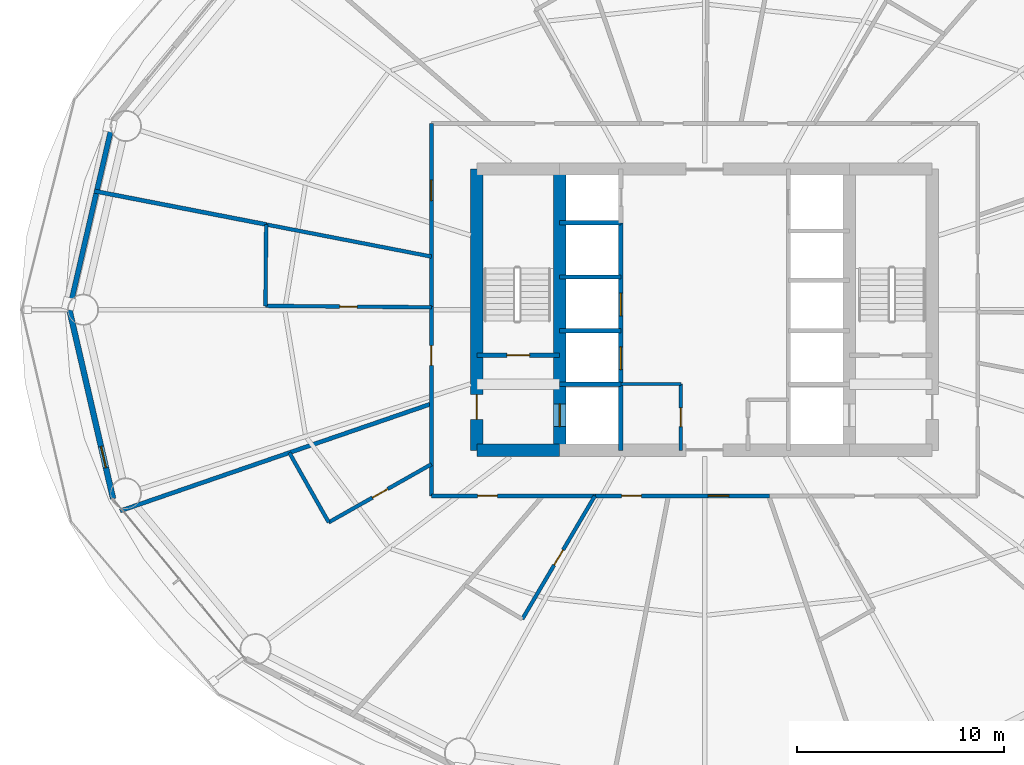
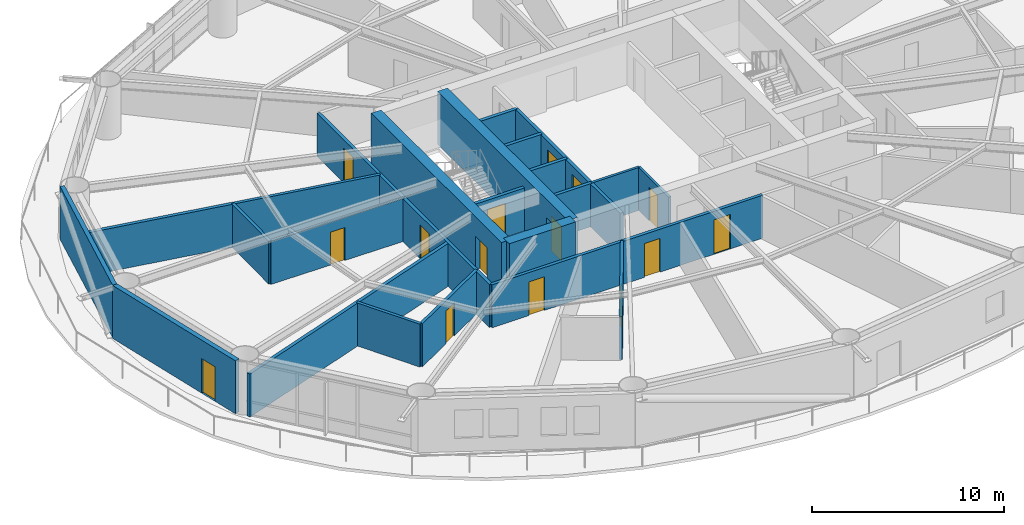
# One storey, part 20 of 26: 26 walls, 15 doors, 15 openings.
"""IFC4 building model written with IfcOpenShell, lengths in metres."""

from ifc_helpers import new_model, si_unit, direction, frame, frame_2d, origin, place, context, subcontext, project, spatial, rectangle, extrude, material, layer, layer_set, type_object, element, fill, save


model = new_model("IFC4")

# Units and contexts
model_context = context("Model", 3, precision=1e-05, world=origin(), true_north=direction((0.0, 1.0)))
body_context = subcontext(model_context, "Body", "Model", "MODEL_VIEW")
ifc_project = project(units=[si_unit("LENGTHUNIT", "METRE"), si_unit("AREAUNIT", "SQUARE_METRE"), si_unit("VOLUMEUNIT", "CUBIC_METRE"), si_unit("PLANEANGLEUNIT", "RADIAN"), si_unit("MASSUNIT", "GRAM", prefix="KILO")], contexts=[model_context])

# Site, building, storey
site_placement = place(None, origin())
site = spatial("IfcSite", under=ifc_project, at=site_placement, CompositionType="ELEMENT")
building_placement = place(site_placement, origin())
building = spatial("IfcBuilding", under=site, at=building_placement, Name="Sarneth Arch Tower", CompositionType="ELEMENT")
storey_placement = place(building_placement, frame((0.0, 0.0, 71.39990234375)))
storey = spatial("IfcBuildingStorey", under=building, at=storey_placement, Name="L17", CompositionType="ELEMENT", Elevation=71.39990234375)

# Wall
ifc_material_1 = material(Name="Concrete C60/75", Category="concrete")
ifc_layer_1 = layer(ifc_material_1, 0.60009765625)
ifc_layer_set_1 = layer_set([ifc_layer_1], Name="Concrete C60/75")
wall_type_1 = type_object("IfcWallType", Name="WALL-CORE-600", PredefinedType="SHEAR", material=ifc_layer_set_1)
wall_1_placement = place(storey_placement, frame((37.0, 35.199951171875, 0.0), z_axis=(0.0, 0.0, 1.0), x_axis=(1.0, 0.0, 0.0)))
element("IfcWall", 1, at=wall_1_placement, inside=storey, type_object=wall_type_1, Name="L17 Core shear wall S-W", PredefinedType="SHEAR", context=body_context, shape_type="SweptSolid", body=[
    extrude(rectangle(XDim=4.0, YDim=0.60009765625, at=frame_2d((2.0, 0.0))), origin(), (0.0, 0.0, 1.0), 3.380126953125),
])

# Wall, opening, door
wall_2_placement = place(storey_placement, frame((37.0, 35.199951171875, 0.0), z_axis=(0.0, 0.0, 1.0), x_axis=(0.0, 1.0, 0.0)))
wall_2 = element("IfcWall", 2, at=wall_2_placement, inside=storey, type_object=wall_type_1, Name="L17 Core shear wall W", PredefinedType="SHEAR", context=body_context, shape_type="SweptSolid", body=[
    extrude(rectangle(XDim=13.60009765625, YDim=0.60009765625, at=frame_2d((6.800048828125, 0.0))), origin(), (0.0, 0.0, 1.0), 3.380126953125),
])
opening_1_placement = place(wall_2_placement, frame((1.5, 0.0, 0.0)))
opening_1 = element("IfcOpeningElement", 3, at=opening_1_placement, cuts=wall_2, Name="Opening FD-02", PredefinedType="OPENING", context=body_context, shape_type="SweptSolid", body=[
    extrude(rectangle(XDim=1.199951171875, YDim=2.14990234375, at=frame_2d((0.60009765625, 1.074951171875))), frame((0.0, 0.31005859375, 0.0), z_axis=(0.0, -1.0, 0.0), x_axis=(1.0, 0.0, 0.0)), (0.0, 0.0, 1.0), 0.6201171875),
])
ifc_material_2 = material(Name="Galvanised Steel S275 fire door set", Category="steel")
door_type_1 = type_object("IfcDoorType", Name="DR-FD90-1200", OperationType="SINGLE_SWING_LEFT", PredefinedType="DOOR", material=ifc_material_2)
door_1_placement = place(opening_1_placement, origin())
door_1 = element("IfcDoor", 4, at=door_1_placement, inside=storey, type_object=door_type_1, Name="L17 Firefighting lobby 1 exit door", OperationType="SINGLE_SWING_LEFT", OverallHeight=2.14990234375, OverallWidth=1.199951171875, PredefinedType="DOOR", context=body_context, shape_type="SweptSolid", body=[
    extrude(rectangle(XDim=1.199951171875, YDim=2.14990234375, at=frame_2d((0.60009765625, 1.074951171875))), frame((0.0, 0.02490234375, 0.0), z_axis=(0.0, -1.0, 0.0), x_axis=(1.0, 0.0, 0.0)), (0.0, 0.0, 1.0), 0.050048828125),
])
fill(opening_1, door_1)

wall_3_placement = place(storey_placement, frame((41.0, 35.199951171875, 0.0), z_axis=(0.0, 0.0, 1.0), x_axis=(0.0, 1.0, 0.0)))
wall_3 = element("IfcWall", 5, at=wall_3_placement, inside=storey, type_object=wall_type_1, Name="L17 Core shear wall WEB-W", PredefinedType="SHEAR", context=body_context, shape_type="SweptSolid", body=[
    extrude(rectangle(XDim=13.60009765625, YDim=0.60009765625, at=frame_2d((6.800048828125, 0.0))), origin(), (0.0, 0.0, 1.0), 3.380126953125),
])
opening_2_placement = place(wall_3_placement, frame((1.14990234375, 0.0, 0.0)))
opening_2 = element("IfcOpeningElement", 6, at=opening_2_placement, cuts=wall_3, Name="Opening LD-1", PredefinedType="OPENING", context=body_context, shape_type="SweptSolid", body=[
    extrude(rectangle(XDim=1.10009765625, YDim=2.199951171875, at=frame_2d((0.550048828125, 1.10009765625))), frame((0.0, 0.31005859375, 0.0), z_axis=(0.0, -1.0, 0.0), x_axis=(1.0, 0.0, 0.0)), (0.0, 0.0, 1.0), 0.6201171875),
])
ifc_material_3 = material(Name="Brushed Stainless Steel 304 lift landing door", Category="steel")
door_type_2 = type_object("IfcDoorType", Name="DR-LIFT-SLIDE-1100", OperationType="SLIDING_TO_LEFT", PredefinedType="DOOR", material=ifc_material_3)
door_2_placement = place(opening_2_placement, origin())
door_2 = element("IfcDoor", 7, at=door_2_placement, inside=storey, type_object=door_type_2, Name="L17 Firefighting lift landing door FL-1", OperationType="SLIDING_TO_LEFT", OverallHeight=2.199951171875, OverallWidth=1.10009765625, PredefinedType="DOOR", context=body_context, shape_type="SweptSolid", body=[
    extrude(rectangle(XDim=1.10009765625, YDim=2.199951171875, at=frame_2d((0.550048828125, 1.10009765625))), frame((0.0, 0.02490234375, 0.0), z_axis=(0.0, -1.0, 0.0), x_axis=(1.0, 0.0, 0.0)), (0.0, 0.0, 1.0), 0.050048828125),
])
fill(opening_2, door_2)

ifc_material_4 = material(Name="Double steel-stud corridor fire wall", Category="steel")
ifc_layer_2 = layer(ifc_material_4, 0.18994140625)
ifc_layer_set_2 = layer_set([ifc_layer_2], Name="Double steel-stud corridor fire wall")
wall_type_2 = type_object("IfcWallType", Name="WALL-CORR-190", PredefinedType="PARTITIONING", material=ifc_layer_set_2)
wall_4_placement = place(storey_placement, frame((34.800048828125, 42.083251953125, 0.0), z_axis=(0.0, 0.0, 1.0), x_axis=(0.0, 1.0, 0.0)))
wall_4 = element("IfcWall", 8, at=wall_4_placement, inside=storey, type_object=wall_type_2, Name="L17 Interior partition W-L17-TP-009", PredefinedType="PARTITIONING", context=body_context, shape_type="SweptSolid", body=[
    extrude(rectangle(XDim=8.916748046875, YDim=0.18994140625, at=frame_2d((4.45849609375, 0.0))), origin(), (0.0, 0.0, 1.0), 2.739990234375),
])
opening_3_placement = place(wall_4_placement, frame((5.183349609375, 0.0, 0.0)))
opening_3 = element("IfcOpeningElement", 9, at=opening_3_placement, cuts=wall_4, Name="Opening FD-08", PredefinedType="OPENING", context=body_context, shape_type="SweptSolid", body=[
    extrude(rectangle(XDim=1.0, YDim=2.199951171875, at=frame_2d((0.5, 1.10009765625))), frame((0.0, 0.10498046875, 0.0), z_axis=(0.0, -1.0, 0.0), x_axis=(1.0, 0.0, 0.0)), (0.0, 0.0, 1.0), 0.2099609375),
])
ifc_material_5 = material(Name="Hardwood timber acoustic fire door", Category="wood")
door_type_3 = type_object("IfcDoorType", Name="DR-FD60-1000", OperationType="SINGLE_SWING_LEFT", PredefinedType="DOOR", material=ifc_material_5)
door_3_placement = place(opening_3_placement, origin())
door_3 = element("IfcDoor", 10, at=door_3_placement, inside=storey, type_object=door_type_3, Name="L17 Interior door DR-L17-AMN-05", OperationType="SINGLE_SWING_LEFT", OverallHeight=2.199951171875, OverallWidth=1.0, PredefinedType="DOOR", context=body_context, shape_type="SweptSolid", body=[
    extrude(rectangle(XDim=1.0, YDim=2.199951171875, at=frame_2d((0.5, 1.10009765625))), frame((0.0, 0.02490234375, 0.0), z_axis=(0.0, -1.0, 0.0), x_axis=(1.0, 0.0, 0.0)), (0.0, 0.0, 1.0), 0.050048828125),
])
fill(opening_3, door_3)

wall_5_placement = place(storey_placement, frame((42.735595703125, 33.0, 0.0), z_axis=(0.0, 0.0, 1.0), x_axis=(-1.0, 0.0, 0.0)))
wall_5 = element("IfcWall", 11, at=wall_5_placement, inside=storey, type_object=wall_type_2, Name="L17 Interior partition W-L17-TP-013", PredefinedType="PARTITIONING", context=body_context, shape_type="SweptSolid", body=[
    extrude(rectangle(XDim=7.935546875, YDim=0.18994140625, at=frame_2d((3.9677734375, 0.0))), origin(), (0.0, 0.0, 1.0), 2.739990234375),
])
opening_4_placement = place(wall_5_placement, frame((4.751220703125, 0.0, 0.0)))
opening_4 = element("IfcOpeningElement", 12, at=opening_4_placement, cuts=wall_5, Name="Opening FD-09", PredefinedType="OPENING", context=body_context, shape_type="SweptSolid", body=[
    extrude(rectangle(XDim=0.949951171875, YDim=2.14990234375, at=frame_2d((0.47509765625, 1.074951171875))), frame((0.0, 0.10498046875, 0.0), z_axis=(0.0, -1.0, 0.0), x_axis=(1.0, 0.0, 0.0)), (0.0, 0.0, 1.0), 0.2099609375),
])
ifc_material_6 = material(Name="Hardwood timber hotel entrance fire door", Category="wood")
door_type_4 = type_object("IfcDoorType", Name="DR-FD60-950", OperationType="SINGLE_SWING_RIGHT", PredefinedType="DOOR", material=ifc_material_6)
door_4_placement = place(opening_4_placement, origin())
door_4 = element("IfcDoor", 13, at=door_4_placement, inside=storey, type_object=door_type_4, Name="L17 Interior door DR-L17-KEY-07", OperationType="SINGLE_SWING_LEFT", OverallHeight=2.14990234375, OverallWidth=0.949951171875, PredefinedType="DOOR", context=body_context, shape_type="SweptSolid", body=[
    extrude(rectangle(XDim=0.949951171875, YDim=2.14990234375, at=frame_2d((0.47509765625, 1.074951171875))), frame((0.0, 0.02490234375, 0.0), z_axis=(0.0, -1.0, 0.0), x_axis=(1.0, 0.0, 0.0)), (0.0, 0.0, 1.0), 0.050048828125),
])
fill(opening_4, door_4)

# Wall, openings, doors
wall_6_placement = place(storey_placement, frame((51.1328125, 33.0, 0.0), z_axis=(0.0, 0.0, 1.0), x_axis=(-1.0, 0.0, 0.0)))
wall_6 = element("IfcWall", 14, at=wall_6_placement, inside=storey, type_object=wall_type_2, Name="L17 Interior partition W-L17-TP-018", PredefinedType="PARTITIONING", context=body_context, shape_type="SweptSolid", body=[
    extrude(rectangle(XDim=8.47119140625, YDim=0.18994140625, at=frame_2d((4.235595703125, 0.0))), origin(), (0.0, 0.0, 1.0), 2.739990234375),
])
opening_5_placement = place(wall_6_placement, frame((1.957275390625, 0.0, 0.0)))
opening_5 = element("IfcOpeningElement", 15, at=opening_5_placement, cuts=wall_6, Name="Opening FD-08", PredefinedType="OPENING", context=body_context, shape_type="SweptSolid", body=[
    extrude(rectangle(XDim=1.0, YDim=2.199951171875, at=frame_2d((0.5, 1.10009765625))), frame((0.0, 0.10498046875, 0.0), z_axis=(0.0, -1.0, 0.0), x_axis=(1.0, 0.0, 0.0)), (0.0, 0.0, 1.0), 0.2099609375),
])
opening_6_placement = place(wall_6_placement, frame((6.185302734375, 0.0, 0.0)))
opening_6 = element("IfcOpeningElement", 16, at=opening_6_placement, cuts=wall_6, Name="Opening FD-09", PredefinedType="OPENING", context=body_context, shape_type="SweptSolid", body=[
    extrude(rectangle(XDim=0.949951171875, YDim=2.14990234375, at=frame_2d((0.47509765625, 1.074951171875))), frame((0.0, 0.10498046875, 0.0), z_axis=(0.0, -1.0, 0.0), x_axis=(1.0, 0.0, 0.0)), (0.0, 0.0, 1.0), 0.2099609375),
])
door_5_placement = place(opening_5_placement, origin())
door_5 = element("IfcDoor", 17, at=door_5_placement, inside=storey, type_object=door_type_3, Name="L17 Interior door DR-L17-AMN-09", OperationType="SINGLE_SWING_RIGHT", OverallHeight=2.199951171875, OverallWidth=1.0, PredefinedType="DOOR", context=body_context, shape_type="SweptSolid", body=[
    extrude(rectangle(XDim=1.0, YDim=2.199951171875, at=frame_2d((0.5, 1.10009765625))), frame((0.0, 0.02490234375, 0.0), z_axis=(0.0, -1.0, 0.0), x_axis=(1.0, 0.0, 0.0)), (0.0, 0.0, 1.0), 0.050048828125),
])
fill(opening_5, door_5)
door_6_placement = place(opening_6_placement, origin())
door_6 = element("IfcDoor", 18, at=door_6_placement, inside=storey, type_object=door_type_4, Name="L17 Interior door DR-L17-KEY-08", OperationType="SINGLE_SWING_RIGHT", OverallHeight=2.14990234375, OverallWidth=0.949951171875, PredefinedType="DOOR", context=body_context, shape_type="SweptSolid", body=[
    extrude(rectangle(XDim=0.949951171875, YDim=2.14990234375, at=frame_2d((0.47509765625, 1.074951171875))), frame((0.0, 0.02490234375, 0.0), z_axis=(0.0, -1.0, 0.0), x_axis=(1.0, 0.0, 0.0)), (0.0, 0.0, 1.0), 0.050048828125),
])
fill(opening_6, door_6)

# Wall, opening, door
wall_7_placement = place(storey_placement, frame((34.800048828125, 33.0, 0.0), z_axis=(0.0, 0.0, 1.0), x_axis=(0.0, 1.0, 0.0)))
wall_7 = element("IfcWall", 19, at=wall_7_placement, inside=storey, type_object=wall_type_2, Name="L17 Interior partition W-L17-TP-011", PredefinedType="PARTITIONING", context=body_context, shape_type="SweptSolid", body=[
    extrude(rectangle(XDim=9.147216796875, YDim=0.18994140625, at=frame_2d((4.57373046875, 0.0))), origin(), (0.0, 0.0, 1.0), 2.739990234375),
])
opening_7_placement = place(wall_7_placement, frame((6.30908203125, 0.0, 0.0)))
opening_7 = element("IfcOpeningElement", 20, at=opening_7_placement, cuts=wall_7, Name="Opening FD-09", PredefinedType="OPENING", context=body_context, shape_type="SweptSolid", body=[
    extrude(rectangle(XDim=0.949951171875, YDim=2.14990234375, at=frame_2d((0.47509765625, 1.074951171875))), frame((0.0, 0.10498046875, 0.0), z_axis=(0.0, -1.0, 0.0), x_axis=(1.0, 0.0, 0.0)), (0.0, 0.0, 1.0), 0.2099609375),
])
door_7_placement = place(opening_7_placement, origin())
door_7 = element("IfcDoor", 21, at=door_7_placement, inside=storey, type_object=door_type_4, Name="L17 Interior door DR-L17-KEY-06", OperationType="SINGLE_SWING_LEFT", OverallHeight=2.14990234375, OverallWidth=0.949951171875, PredefinedType="DOOR", context=body_context, shape_type="SweptSolid", body=[
    extrude(rectangle(XDim=0.949951171875, YDim=2.14990234375, at=frame_2d((0.47509765625, 1.074951171875))), frame((0.0, 0.02490234375, 0.0), z_axis=(0.0, -1.0, 0.0), x_axis=(1.0, 0.0, 0.0)), (0.0, 0.0, 1.0), 0.050048828125),
])
fill(opening_7, door_7)

# Wall
ifc_material_7 = material(Name="Extruded terracotta rainscreen on Concrete C40/50 backing", Category="masonry")
ifc_layer_3 = layer(ifc_material_7, 0.25)
ifc_layer_set_3 = layer_set([ifc_layer_3], Name="Extruded terracotta rainscreen on Concrete C40/50 backing")
wall_type_3 = type_object("IfcWallType", Name="WALL-EXT-SPAND-250", PredefinedType="SOLIDWALL", material=ifc_layer_set_3)
wall_8_placement = place(storey_placement, frame((19.4189453125, 51.138427734375, 0.0), z_axis=(0.0, 0.0, 1.0), x_axis=(-0.225454452941, -0.974253709076, 0.0)))
element("IfcWall", 22, at=wall_8_placement, inside=storey, type_object=wall_type_3, Name="L17 Terracotta perimeter wall 08", PredefinedType="SOLIDWALL", context=body_context, shape_type="SweptSolid", body=[
    extrude(rectangle(XDim=9.3798828125, YDim=0.25, at=frame_2d((4.68994140625, 0.0))), origin(), (0.0, 0.0, 1.0), 3.380126953125),
])

# Wall, opening, door
ifc_material_8 = material(Name="Extruded terracotta rainscreen on Concrete C40/50 backing", Category="masonry")
ifc_layer_4 = layer(ifc_material_8, 0.280029296875)
ifc_layer_set_4 = layer_set([ifc_layer_4], Name="Extruded terracotta rainscreen on Concrete C40/50 backing")
wall_type_4 = type_object("IfcWallType", Name="WALL-EXT-TERRA-280", PredefinedType="SOLIDWALL", material=ifc_layer_set_4)
wall_9_placement = place(storey_placement, frame((17.30419921875, 42.0, 0.0), z_axis=(0.0, 0.0, 1.0), x_axis=(0.225454452941, -0.974253709076, 0.0)))
wall_9 = element("IfcWall", 23, at=wall_9_placement, inside=storey, type_object=wall_type_4, Name="L17 Terracotta perimeter wall 09", PredefinedType="SOLIDWALL", context=body_context, shape_type="SweptSolid", body=[
    extrude(rectangle(XDim=9.3798828125, YDim=0.280029296875, at=frame_2d((4.68994140625, 0.0))), origin(), (0.0, 0.0, 1.0), 3.380126953125),
])
opening_8_placement = place(wall_9_placement, frame((6.78515625, 0.0, 0.0)))
opening_8 = element("IfcOpeningElement", 24, at=opening_8_placement, cuts=wall_9, Name="Opening BD-4", PredefinedType="OPENING", context=body_context, shape_type="SweptSolid", body=[
    extrude(rectangle(XDim=1.050048828125, YDim=2.199951171875, at=frame_2d((0.52490234375, 1.10009765625))), frame((0.0, 0.14990234375, 0.0), z_axis=(0.0, -1.0, 0.0), x_axis=(1.0, 0.0, 0.0)), (0.0, 0.0, 1.0), 0.300048828125),
])
ifc_material_9 = material(Name="Thermally broken Aluminium 6063-T6 and laminated safety glass", Category="aluminium")
door_type_5 = type_object("IfcDoorType", Name="DR-BALC-GLZ-1050", OperationType="SINGLE_SWING_RIGHT", PredefinedType="DOOR", material=ifc_material_9)
door_8_placement = place(opening_8_placement, origin())
door_8 = element("IfcDoor", 25, at=door_8_placement, inside=storey, type_object=door_type_5, Name="L17 Balcony glazed door 09", OperationType="SINGLE_SWING_RIGHT", OverallHeight=2.199951171875, OverallWidth=1.050048828125, PredefinedType="DOOR", context=body_context, shape_type="SweptSolid", body=[
    extrude(rectangle(XDim=1.050048828125, YDim=2.199951171875, at=frame_2d((0.52490234375, 1.10009765625))), frame((0.0, 0.02490234375, 0.0), z_axis=(0.0, -1.0, 0.0), x_axis=(1.0, 0.0, 0.0)), (0.0, 0.0, 1.0), 0.050048828125),
])
fill(opening_8, door_8)

# Wall
ifc_material_10 = material(Name="Acoustic gypsum stud partition", Category="gypsum")
ifc_layer_5 = layer(ifc_material_10, 0.14990234375)
ifc_layer_set_5 = layer_set([ifc_layer_5], Name="Acoustic gypsum stud partition")
wall_type_5 = type_object("IfcWallType", Name="WALL-PART-150", PredefinedType="PARTITIONING", material=ifc_layer_set_5)
wall_10_placement = place(storey_placement, frame((43.949951171875, 38.39990234375, 0.0), z_axis=(0.0, 0.0, 1.0), x_axis=(1.0, 0.0, 0.0)))
element("IfcWall", 26, at=wall_10_placement, inside=storey, type_object=wall_type_5, Name="L17 Interior partition W-L17-CSUP1-N", PredefinedType="PARTITIONING", context=body_context, shape_type="SweptSolid", body=[
    extrude(rectangle(XDim=2.900146484375, YDim=0.14990234375, at=frame_2d((1.4501953125, 0.0))), origin(), (0.0, 0.0, 1.0), 2.739990234375),
])

# Wall, opening, door
wall_11_placement = place(storey_placement, frame((46.85009765625, 35.199951171875, 0.0), z_axis=(0.0, 0.0, 1.0), x_axis=(0.0, 1.0, 0.0)))
wall_11 = element("IfcWall", 27, at=wall_11_placement, inside=storey, type_object=wall_type_5, Name="L17 Interior partition W-L17-CSUP1-E", PredefinedType="PARTITIONING", context=body_context, shape_type="SweptSolid", body=[
    extrude(rectangle(XDim=3.199951171875, YDim=0.14990234375, at=frame_2d((1.60009765625, 0.0))), origin(), (0.0, 0.0, 1.0), 2.739990234375),
])
opening_9_placement = place(wall_11_placement, frame((1.14990234375, 0.0, 0.0)))
opening_9 = element("IfcOpeningElement", 28, at=opening_9_placement, cuts=wall_11, Name="Opening FD-10", PredefinedType="OPENING", context=body_context, shape_type="SweptSolid", body=[
    extrude(rectangle(XDim=0.89990234375, YDim=2.14990234375, at=frame_2d((0.449951171875, 1.074951171875))), frame((0.0, 0.0849609375, 0.0), z_axis=(0.0, -1.0, 0.0), x_axis=(1.0, 0.0, 0.0)), (0.0, 0.0, 1.0), 0.169921875),
])
ifc_material_11 = material(Name="Galvanised Steel S275 riser/service fire door", Category="steel")
door_type_6 = type_object("IfcDoorType", Name="DR-FD60-900", OperationType="SINGLE_SWING_LEFT", PredefinedType="DOOR", material=ifc_material_11)
door_9_placement = place(opening_9_placement, origin())
door_9 = element("IfcDoor", 29, at=door_9_placement, inside=storey, type_object=door_type_6, Name="L17 Interior door DR-L17-CSUP1", OperationType="SINGLE_SWING_LEFT", OverallHeight=2.14990234375, OverallWidth=0.89990234375, PredefinedType="DOOR", context=body_context, shape_type="SweptSolid", body=[
    extrude(rectangle(XDim=0.89990234375, YDim=2.14990234375, at=frame_2d((0.449951171875, 1.074951171875))), frame((0.0, 0.02490234375, 0.0), z_axis=(0.0, -1.0, 0.0), x_axis=(1.0, 0.0, 0.0)), (0.0, 0.0, 1.0), 0.050048828125),
])
fill(opening_9, door_9)

# Wall
ifc_material_12 = material(Name="Moisture-resistant plumbing chase wall", Category="gypsum")
ifc_layer_6 = layer(ifc_material_12, 0.179931640625)
ifc_layer_set_6 = layer_set([ifc_layer_6], Name="Moisture-resistant plumbing chase wall")
wall_type_6 = type_object("IfcWallType", Name="WALL-PLUMB-180", PredefinedType="PLUMBINGWALL", material=ifc_layer_set_6)
wall_12_placement = place(storey_placement, frame((26.814697265625, 46.117919921875, 0.0), z_axis=(0.0, 0.0, 1.0), x_axis=(0.981631630513, -0.190786115787, 0.0)))
element("IfcWall", 30, at=wall_12_placement, inside=storey, type_object=wall_type_6, Name="L17 Interior partition W-L17-TP-041", PredefinedType="PLUMBINGWALL", context=body_context, shape_type="SweptSolid", body=[
    extrude(rectangle(XDim=8.134765625, YDim=0.179931640625, at=frame_2d((4.0673828125, 0.0))), origin(), (0.0, 0.0, 1.0), 2.739990234375),
])

# Wall, opening, door
wall_13_placement = place(storey_placement, frame((34.800048828125, 42.115234375, 0.0), z_axis=(0.0, 0.0, 1.0), x_axis=(-0.999961832732, 0.008736880358, 0.0)))
wall_13 = element("IfcWall", 31, at=wall_13_placement, inside=storey, type_object=wall_type_6, Name="L17 Interior partition W-L17-TP-042", PredefinedType="PLUMBINGWALL", context=body_context, shape_type="SweptSolid", body=[
    extrude(rectangle(XDim=8.019775390625, YDim=0.179931640625, at=frame_2d((4.009765625, 0.0))), origin(), (0.0, 0.0, 1.0), 2.739990234375),
])
opening_10_placement = place(wall_13_placement, frame((3.5849609375, 0.0, 0.0)))
opening_10 = element("IfcOpeningElement", 32, at=opening_10_placement, cuts=wall_13, Name="Opening ID-02", PredefinedType="OPENING", context=body_context, shape_type="SweptSolid", body=[
    extrude(rectangle(XDim=0.85009765625, YDim=2.10009765625, at=frame_2d((0.425048828125, 1.050048828125))), frame((0.0, 0.099853515625, 0.0), z_axis=(0.0, -1.0, 0.0), x_axis=(1.0, 0.0, 0.0)), (0.0, 0.0, 1.0), 0.199951171875),
])
ifc_material_13 = material(Name="Moisture-resistant bathroom timber door", Category="wood")
door_type_7 = type_object("IfcDoorType", Name="DR-INT-850", OperationType="SINGLE_SWING_RIGHT", PredefinedType="DOOR", material=ifc_material_13)
door_10_placement = place(opening_10_placement, origin())
door_10 = element("IfcDoor", 33, at=door_10_placement, inside=storey, type_object=door_type_7, Name="L17 Interior door DR-L17-ENS-06", OperationType="SINGLE_SWING_RIGHT", OverallHeight=2.10009765625, OverallWidth=0.85009765625, PredefinedType="DOOR", context=body_context, shape_type="SweptSolid", body=[
    extrude(rectangle(XDim=0.85009765625, YDim=2.10009765625, at=frame_2d((0.425048828125, 1.050048828125))), frame((0.0, 0.02490234375, 0.0), z_axis=(0.0, -1.0, 0.0), x_axis=(1.0, 0.0, 0.0)), (0.0, 0.0, 1.0), 0.050048828125),
])
fill(opening_10, door_10)

wall_14_placement = place(storey_placement, frame((39.192626953125, 27.048095703125, 0.0), z_axis=(0.0, 0.0, 1.0), x_axis=(0.507529744585, 0.861634236995, 0.0)))
wall_14 = element("IfcWall", 34, at=wall_14_placement, inside=storey, type_object=wall_type_6, Name="L17 Interior partition W-L17-TP-051", PredefinedType="PLUMBINGWALL", context=body_context, shape_type="SweptSolid", body=[
    extrude(rectangle(XDim=6.90771484375, YDim=0.179931640625, at=frame_2d((3.453857421875, 0.0))), origin(), (0.0, 0.0, 1.0), 2.739990234375),
])
opening_11_placement = place(wall_14_placement, frame((3.02880859375, 0.0, 0.0)))
opening_11 = element("IfcOpeningElement", 35, at=opening_11_placement, cuts=wall_14, Name="Opening ID-02", PredefinedType="OPENING", context=body_context, shape_type="SweptSolid", body=[
    extrude(rectangle(XDim=0.85009765625, YDim=2.10009765625, at=frame_2d((0.425048828125, 1.050048828125))), frame((0.0, 0.099853515625, 0.0), z_axis=(0.0, -1.0, 0.0), x_axis=(1.0, 0.0, 0.0)), (0.0, 0.0, 1.0), 0.199951171875),
])
door_11_placement = place(opening_11_placement, origin())
door_11 = element("IfcDoor", 36, at=door_11_placement, inside=storey, type_object=door_type_7, Name="L17 Interior door DR-L17-ENS-08", OperationType="SINGLE_SWING_RIGHT", OverallHeight=2.10009765625, OverallWidth=0.85009765625, PredefinedType="DOOR", context=body_context, shape_type="SweptSolid", body=[
    extrude(rectangle(XDim=0.85009765625, YDim=2.10009765625, at=frame_2d((0.425048828125, 1.050048828125))), frame((0.0, 0.02490234375, 0.0), z_axis=(0.0, -1.0, 0.0), x_axis=(1.0, 0.0, 0.0)), (0.0, 0.0, 1.0), 0.050048828125),
])
fill(opening_11, door_11)

wall_15_placement = place(storey_placement, frame((29.83740234375, 31.72412109375, 0.0), z_axis=(0.0, 0.0, 1.0), x_axis=(0.870364197206, 0.492408533865, 0.0)))
wall_15 = element("IfcWall", 37, at=wall_15_placement, inside=storey, type_object=wall_type_6, Name="L17 Interior partition W-L17-TP-047", PredefinedType="PLUMBINGWALL", context=body_context, shape_type="SweptSolid", body=[
    extrude(rectangle(XDim=5.701904296875, YDim=0.179931640625, at=frame_2d((2.85107421875, 0.0))), origin(), (0.0, 0.0, 1.0), 2.739990234375),
])
opening_12_placement = place(wall_15_placement, frame((2.42578125, 0.0, 0.0)))
opening_12 = element("IfcOpeningElement", 38, at=opening_12_placement, cuts=wall_15, Name="Opening ID-02", PredefinedType="OPENING", context=body_context, shape_type="SweptSolid", body=[
    extrude(rectangle(XDim=0.85009765625, YDim=2.10009765625, at=frame_2d((0.425048828125, 1.050048828125))), frame((0.0, 0.099853515625, 0.0), z_axis=(0.0, -1.0, 0.0), x_axis=(1.0, 0.0, 0.0)), (0.0, 0.0, 1.0), 0.199951171875),
])
door_12_placement = place(opening_12_placement, origin())
door_12 = element("IfcDoor", 39, at=door_12_placement, inside=storey, type_object=door_type_7, Name="L17 Interior door DR-L17-ENS-07", OperationType="SINGLE_SWING_RIGHT", OverallHeight=2.10009765625, OverallWidth=0.85009765625, PredefinedType="DOOR", context=body_context, shape_type="SweptSolid", body=[
    extrude(rectangle(XDim=0.85009765625, YDim=2.10009765625, at=frame_2d((0.425048828125, 1.050048828125))), frame((0.0, 0.02490234375, 0.0), z_axis=(0.0, -1.0, 0.0), x_axis=(1.0, 0.0, 0.0)), (0.0, 0.0, 1.0), 0.050048828125),
])
fill(opening_12, door_12)

# Walls
wall_16_placement = place(storey_placement, frame((26.780517578125, 42.185302734375, 0.0), z_axis=(0.0, 0.0, 1.0), x_axis=(0.008691005249, 0.999962232501, 0.0)))
element("IfcWall", 40, at=wall_16_placement, inside=storey, type_object=wall_type_6, Name="L17 Interior partition W-L17-TP-043", PredefinedType="PLUMBINGWALL", context=body_context, shape_type="SweptSolid", body=[
    extrude(rectangle(XDim=3.932861328125, YDim=0.179931640625, at=frame_2d((1.96630859375, 0.0))), origin(), (0.0, 0.0, 1.0), 2.739990234375),
])
wall_17_placement = place(storey_placement, frame((27.932861328125, 35.09033203125, 0.0), z_axis=(0.0, 0.0, 1.0), x_axis=(0.492429534147, -0.870352315962, 0.0)))
element("IfcWall", 41, at=wall_17_placement, inside=storey, type_object=wall_type_6, Name="L17 Interior partition W-L17-TP-046", PredefinedType="PLUMBINGWALL", context=body_context, shape_type="SweptSolid", body=[
    extrude(rectangle(XDim=3.86767578125, YDim=0.179931640625, at=frame_2d((1.933837890625, 0.0))), origin(), (0.0, 0.0, 1.0), 2.739990234375),
])

# Wall, opening, door
ifc_material_14 = material(Name="Aerated concrete blockwork C25/30", Category="masonry")
ifc_layer_7 = layer(ifc_material_14, 0.199951171875)
ifc_layer_set_7 = layer_set([ifc_layer_7], Name="Aerated concrete blockwork C25/30")
wall_type_7 = type_object("IfcWallType", Name="WALL-SHAFT-200", PredefinedType="SOLIDWALL", material=ifc_layer_set_7)
wall_18_placement = place(storey_placement, frame((37.0, 39.800048828125, 0.0), z_axis=(0.0, 0.0, 1.0), x_axis=(1.0, 0.0, 0.0)))
wall_18 = element("IfcWall", 42, at=wall_18_placement, inside=storey, type_object=wall_type_7, Name="L17 Interior partition W-L17-ST1-S", PredefinedType="SOLIDWALL", context=body_context, shape_type="SweptSolid", body=[
    extrude(rectangle(XDim=4.0, YDim=0.199951171875, at=frame_2d((2.0, 0.0))), origin(), (0.0, 0.0, 1.0), 2.739990234375),
])
opening_13_placement = place(wall_18_placement, frame((1.449951171875, 0.0, 0.0)))
opening_13 = element("IfcOpeningElement", 43, at=opening_13_placement, cuts=wall_18, Name="Opening FD-03", PredefinedType="OPENING", context=body_context, shape_type="SweptSolid", body=[
    extrude(rectangle(XDim=1.10009765625, YDim=2.14990234375, at=frame_2d((0.550048828125, 1.074951171875))), frame((0.0, 0.10986328125, 0.0), z_axis=(0.0, -1.0, 0.0), x_axis=(1.0, 0.0, 0.0)), (0.0, 0.0, 1.0), 0.219970703125),
])
ifc_material_15 = material(Name="Galvanised Steel S275 fire door set", Category="steel")
door_type_8 = type_object("IfcDoorType", Name="DR-FD90-1100", OperationType="SINGLE_SWING_LEFT", PredefinedType="DOOR", material=ifc_material_15)
door_13_placement = place(opening_13_placement, origin())
door_13 = element("IfcDoor", 44, at=door_13_placement, inside=storey, type_object=door_type_8, Name="L17 Interior door DR-L17-ST1", OperationType="SINGLE_SWING_LEFT", OverallHeight=2.14990234375, OverallWidth=1.10009765625, PredefinedType="DOOR", context=body_context, shape_type="SweptSolid", body=[
    extrude(rectangle(XDim=1.10009765625, YDim=2.14990234375, at=frame_2d((0.550048828125, 1.074951171875))), frame((0.0, 0.02490234375, 0.0), z_axis=(0.0, -1.0, 0.0), x_axis=(1.0, 0.0, 0.0)), (0.0, 0.0, 1.0), 0.050048828125),
])
fill(opening_13, door_13)

# Walls
wall_19_placement = place(storey_placement, frame((43.949951171875, 35.199951171875, 0.0), z_axis=(0.0, 0.0, 1.0), x_axis=(0.0, 1.0, 0.0)))
element("IfcWall", 45, at=wall_19_placement, inside=storey, type_object=wall_type_7, Name="L17 Interior partition W-L17-FL1-E", PredefinedType="SOLIDWALL", context=body_context, shape_type="SweptSolid", body=[
    extrude(rectangle(XDim=3.199951171875, YDim=0.199951171875, at=frame_2d((1.60009765625, 0.0))), origin(), (0.0, 0.0, 1.0), 2.739990234375),
])
for number, where, z_axis, x_axis, name in (
    (46, (41.0, 38.39990234375, 0.0), (0.0, 0.0, 1.0), (1.0, 0.0, 0.0), "L17 Interior partition W-L17-FL1-N"),
    (47, (41.0, 46.199951171875, 0.0), (0.0, 0.0, 1.0), (1.0, 0.0, 0.0), "L17 Interior partition W-L17-RISER-S"),
):
    element("IfcWall", number, at=place(storey_placement, frame(where, z_axis=z_axis, x_axis=x_axis)), inside=storey, type_object=wall_type_7, Name=name, PredefinedType="SOLIDWALL", context=body_context, shape_type="SweptSolid", body=[
        extrude(rectangle(XDim=2.949951171875, YDim=0.199951171875, at=frame_2d((1.47509765625, 0.0))), origin(), (0.0, 0.0, 1.0), 2.739990234375),
    ])

# Wall, openings, doors
wall_20_placement = place(storey_placement, frame((43.949951171875, 38.39990234375, 0.0), z_axis=(0.0, 0.0, 1.0), x_axis=(0.0, 1.0, 0.0)))
wall_20 = element("IfcWall", 48, at=wall_20_placement, inside=storey, type_object=wall_type_7, Name="L17 Interior partition W-L17-WESTBANK-FRONT", PredefinedType="SOLIDWALL", context=body_context, shape_type="SweptSolid", body=[
    extrude(rectangle(XDim=7.800048828125, YDim=0.199951171875, at=frame_2d((3.89990234375, 0.0))), origin(), (0.0, 0.0, 1.0), 2.739990234375),
])
opening_14_placement = place(wall_20_placement, frame((0.699951171875, 0.0, 0.0)))
opening_14 = element("IfcOpeningElement", 49, at=opening_14_placement, cuts=wall_20, Name="Opening LD-1", PredefinedType="OPENING", context=body_context, shape_type="SweptSolid", body=[
    extrude(rectangle(XDim=1.10009765625, YDim=2.199951171875, at=frame_2d((0.550048828125, 1.10009765625))), frame((0.0, 0.10986328125, 0.0), z_axis=(0.0, -1.0, 0.0), x_axis=(1.0, 0.0, 0.0)), (0.0, 0.0, 1.0), 0.219970703125),
])
opening_15_placement = place(wall_20_placement, frame((3.300048828125, 0.0, 0.0)))
opening_15 = element("IfcOpeningElement", 50, at=opening_15_placement, cuts=wall_20, Name="Opening LD-1", PredefinedType="OPENING", context=body_context, shape_type="SweptSolid", body=[
    extrude(rectangle(XDim=1.10009765625, YDim=2.199951171875, at=frame_2d((0.550048828125, 1.10009765625))), frame((0.0, 0.10986328125, 0.0), z_axis=(0.0, -1.0, 0.0), x_axis=(1.0, 0.0, 0.0)), (0.0, 0.0, 1.0), 0.219970703125),
])
door_14_placement = place(opening_14_placement, origin())
door_14 = element("IfcDoor", 51, at=door_14_placement, inside=storey, type_object=door_type_2, Name="L17 Lift landing door DR-L17-LD-PL1", OperationType="SLIDING_TO_LEFT", OverallHeight=2.199951171875, OverallWidth=1.10009765625, PredefinedType="DOOR", context=body_context, shape_type="SweptSolid", body=[
    extrude(rectangle(XDim=1.10009765625, YDim=2.199951171875, at=frame_2d((0.550048828125, 1.10009765625))), frame((0.0, 0.02490234375, 0.0), z_axis=(0.0, -1.0, 0.0), x_axis=(1.0, 0.0, 0.0)), (0.0, 0.0, 1.0), 0.050048828125),
])
fill(opening_14, door_14)
door_15_placement = place(opening_15_placement, origin())
door_15 = element("IfcDoor", 52, at=door_15_placement, inside=storey, type_object=door_type_2, Name="L17 Lift landing door DR-L17-LD-PL2", OperationType="SLIDING_TO_RIGHT", OverallHeight=2.199951171875, OverallWidth=1.10009765625, PredefinedType="DOOR", context=body_context, shape_type="SweptSolid", body=[
    extrude(rectangle(XDim=1.10009765625, YDim=2.199951171875, at=frame_2d((0.550048828125, 1.10009765625))), frame((0.0, 0.02490234375, 0.0), z_axis=(0.0, -1.0, 0.0), x_axis=(1.0, 0.0, 0.0)), (0.0, 0.0, 1.0), 0.050048828125),
])
fill(opening_15, door_15)

# Walls
for number, where, z_axis, x_axis, name in (
    (53, (41.0, 40.97998046875, 0.0), (0.0, 0.0, 1.0), (1.0, 0.0, 0.0), "L17 Interior partition W-L17-WB-DIV-4098"),
    (54, (41.0, 43.580078125, 0.0), (0.0, 0.0, 1.0), (1.0, 0.0, 0.0), "L17 Interior partition W-L17-WB-DIV-4358"),
):
    element("IfcWall", number, at=place(storey_placement, frame(where, z_axis=z_axis, x_axis=x_axis)), inside=storey, type_object=wall_type_7, Name=name, PredefinedType="SOLIDWALL", context=body_context, shape_type="SweptSolid", body=[
        extrude(rectangle(XDim=2.949951171875, YDim=0.199951171875, at=frame_2d((1.47509765625, 0.0))), origin(), (0.0, 0.0, 1.0), 2.739990234375),
    ])
ifc_material_16 = material(Name="Double steel-stud acoustic drywall", Category="steel")
ifc_layer_8 = layer(ifc_material_16, 0.199951171875)
ifc_layer_set_8 = layer_set([ifc_layer_8], Name="Double steel-stud acoustic drywall")
wall_type_8 = type_object("IfcWallType", Name="WALL-UNIT-200", PredefinedType="PARTITIONING", material=ifc_layer_set_8)
wall_21_placement = place(storey_placement, frame((34.800048828125, 37.454833984375, 0.0), z_axis=(0.0, 0.0, 1.0), x_axis=(-0.945518845989, -0.325567369186, 0.0)))
element("IfcWall", 55, at=wall_21_placement, inside=storey, type_object=wall_type_8, Name="L17 Interior partition W-L17-TP-044", PredefinedType="PARTITIONING", context=body_context, shape_type="SweptSolid", body=[
    extrude(rectangle(XDim=15.908935546875, YDim=0.199951171875, at=frame_2d((7.95458984375, 0.0))), origin(), (0.0, 0.0, 1.0), 2.739990234375),
])
wall_22_placement = place(storey_placement, frame((18.5078125, 47.732666015625, 0.0), z_axis=(0.0, 0.0, 1.0), x_axis=(0.981626048747, -0.190814832812, 0.0)))
element("IfcWall", 56, at=wall_22_placement, inside=storey, type_object=wall_type_8, Name="L17 Interior partition W-L17-TP-040", PredefinedType="PARTITIONING", context=body_context, shape_type="SweptSolid", body=[
    extrude(rectangle(XDim=8.46240234375, YDim=0.199951171875, at=frame_2d((4.231201171875, 0.0))), origin(), (0.0, 0.0, 1.0), 2.739990234375),
])

save(model, "model.ifc")
